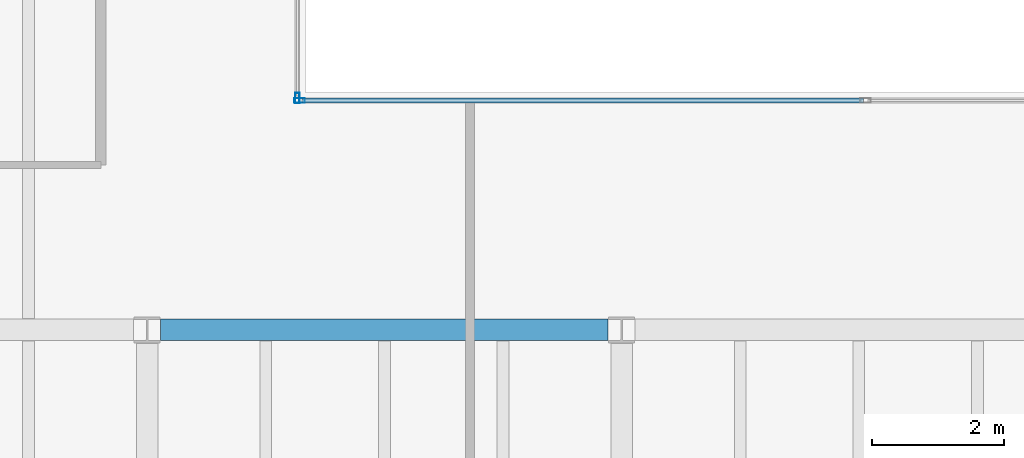
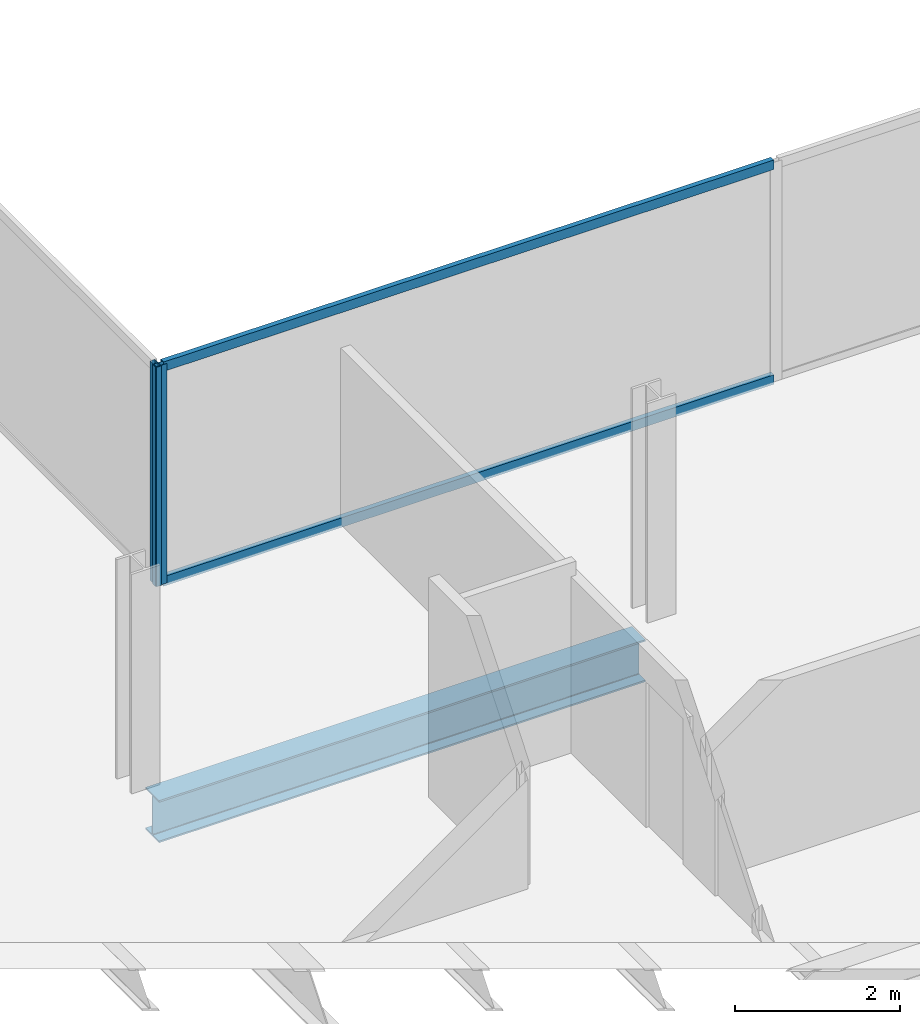
# One storey, part 8 of 23: 4 members, 1 beam, 2 elements without a shape of their own.
"""IFC4 building model written with IfcOpenShell, lengths in metres."""

from ifc_helpers import new_model, si_unit, direction, frame, origin, origin_2d, place, context, subcontext, project, spatial, hollow_rectangle, i_section, extrude, material, material_profile, profile_set, type_object, element, aggregate, save


model = new_model("IFC4")

# Units and contexts
model_context = context("Model", 3, precision=1e-05, world=origin(), true_north=direction((0.0, 1.0)))
body_context = subcontext(model_context, "Body", "Model", "MODEL_VIEW")
ifc_project = project(units=[si_unit("LENGTHUNIT", "METRE"), si_unit("AREAUNIT", "SQUARE_METRE"), si_unit("VOLUMEUNIT", "CUBIC_METRE"), si_unit("PLANEANGLEUNIT", "RADIAN"), si_unit("MASSUNIT", "GRAM", prefix="KILO")], contexts=[model_context])

# Site, building, storey
site_placement = place(None, origin())
site = spatial("IfcSite", under=ifc_project, at=site_placement, CompositionType="ELEMENT")
building_placement = place(site_placement, origin())
building = spatial("IfcBuilding", under=site, at=building_placement, Name="Cobrela Telecom Tower", CompositionType="ELEMENT")
storey_placement = place(building_placement, frame((0.0, 0.0, 180.25)))
storey = spatial("IfcBuildingStorey", under=building, at=storey_placement, Name="L45", CompositionType="ELEMENT", Elevation=180.25)

# Beam
ifc_material_1 = material(Name="Steel ASTM A992 Grade 50", Category="steel")
ifc_material_profile_1 = material_profile(ifc_material_1, i_section(OverallWidth=0.327880859375, OverallDepth=0.6220703125, WebThickness=0.015380859375, FlangeThickness=0.0244140625, FilletRadius=0.014892578125, at=origin_2d()), Name="W24X131")
ifc_profile_set_1 = profile_set([ifc_material_profile_1], Name="Steel ASTM A992 Grade 50")
beam_type = type_object("IfcBeamType", Name="BM-GIRD-06", PredefinedType="USERDEFINED", material=ifc_profile_set_1)
beam_placement = place(storey_placement, frame((21.804443359375, 21.60009765625, -0.571044921875), z_axis=(1.0, 0.0, 0.0), x_axis=(0.0, 1.0, 0.0)))
element("IfcBeam", 1, at=beam_placement, inside=storey, type_object=beam_type, Name="L45 Primary Girder X16", ObjectType="GIRDER", PredefinedType="USERDEFINED", context=body_context, shape_type="SweptSolid", body=[
    extrude(i_section(OverallWidth=0.327880859375, OverallDepth=0.6220703125, WebThickness=0.015380859375, FlangeThickness=0.0244140625, FilletRadius=0.014892578125, at=origin_2d()), origin(), (0.0, 0.0, 1.0), 6.791015625),
])

# Curtain wall, member
ifc_material_2 = material(Name="Anodized Bronze Aluminium 6063-T6", Category="aluminium")
curtain_wall_type = type_object("IfcCurtainWallType", Name="CW-SYS-OFF-LO", PredefinedType="USERDEFINED", material=ifc_material_2)
curtain_wall_1_placement = place(storey_placement, origin())
curtain_wall_1 = element("IfcCurtainWall", 2, at=curtain_wall_1_placement, inside=storey, type_object=curtain_wall_type, Name="L45 Unitised Bronze Curtain Wall 10", ObjectType="UNITISED CURTAIN WALL", PredefinedType="USERDEFINED")
ifc_material_profile_2 = material_profile(ifc_material_2, hollow_rectangle(XDim=0.070068359375, YDim=0.159912109375, WallThickness=0.00390625, at=origin_2d()), Name="ALU 70x160x4")
ifc_profile_set_2 = profile_set([ifc_material_profile_2], Name="Anodized Bronze Aluminium 6063-T6")
member_type_1 = type_object("IfcMemberType", Name="CW-SYS-OFF-LO-MUL", PredefinedType="MULLION", material=ifc_profile_set_2)
member_1_placement = place(storey_placement, frame((23.8798828125, 25.114990234375, 0.0), z_axis=(0.0, 0.0, 1.0), x_axis=(1.0, 0.0, 0.0)))
member_1 = element("IfcMember", 3, at=member_1_placement, type_object=member_type_1, Name="CW-OFF-LO mullion 3", PredefinedType="MULLION", context=body_context, shape_type="SweptSolid", body=[
    extrude(hollow_rectangle(XDim=0.070068359375, YDim=0.159912109375, WallThickness=0.00390625, at=origin_2d()), origin(), (0.0, 0.0, 1.0), 3.239990234375),
])
aggregate(curtain_wall_1, [member_1])

# Curtain wall, members
curtain_wall_2_placement = place(storey_placement, origin())
curtain_wall_2 = element("IfcCurtainWall", 4, at=curtain_wall_2_placement, inside=storey, type_object=curtain_wall_type, Name="L45 Unitised Bronze Curtain Wall 11", ObjectType="UNITISED CURTAIN WALL", PredefinedType="USERDEFINED")
member_2_placement = place(storey_placement, frame((23.9150390625, 25.080078125, 0.0), z_axis=(0.0, 0.0, 1.0), x_axis=(0.0, 1.0, 0.0)))
member_2 = element("IfcMember", 5, at=member_2_placement, type_object=member_type_1, Name="CW-OFF-LO mullion 1", PredefinedType="MULLION", context=body_context, shape_type="SweptSolid", body=[
    extrude(hollow_rectangle(XDim=0.070068359375, YDim=0.159912109375, WallThickness=0.00390625, at=origin_2d()), origin(), (0.0, 0.0, 1.0), 3.239990234375),
])
ifc_material_profile_3 = material_profile(ifc_material_2, hollow_rectangle(XDim=0.070068359375, YDim=0.139892578125, WallThickness=0.00390625, at=origin_2d()), Name="ALU 70x140x4")
ifc_profile_set_3 = profile_set([ifc_material_profile_3], Name="Anodized Bronze Aluminium 6063-T6")
member_type_2 = type_object("IfcMemberType", Name="CW-SYS-OFF-LO-TRN", PredefinedType="USERDEFINED", material=ifc_profile_set_3)
member_3_placement = place(storey_placement, frame((23.949951171875, 25.080078125, 0.034912109375), z_axis=(1.0, 0.0, 0.0), x_axis=(0.0, 1.0, 0.0)))
member_3 = element("IfcMember", 6, at=member_3_placement, type_object=member_type_2, Name="CW-OFF-LO transom 1.1", ObjectType="TRANSOM", PredefinedType="USERDEFINED", context=body_context, shape_type="SweptSolid", body=[
    extrude(hollow_rectangle(XDim=0.070068359375, YDim=0.139892578125, WallThickness=0.00390625, at=origin_2d()), origin(), (0.0, 0.0, 1.0), 8.52001953125),
])
member_4_placement = place(storey_placement, frame((23.949951171875, 25.080078125, 3.205078125), z_axis=(1.0, 0.0, 0.0), x_axis=(0.0, 1.0, 0.0)))
member_4 = element("IfcMember", 7, at=member_4_placement, type_object=member_type_2, Name="CW-OFF-LO transom 1.2", ObjectType="TRANSOM", PredefinedType="USERDEFINED", context=body_context, shape_type="SweptSolid", body=[
    extrude(hollow_rectangle(XDim=0.070068359375, YDim=0.139892578125, WallThickness=0.00390625, at=origin_2d()), origin(), (0.0, 0.0, 1.0), 8.52001953125),
])
aggregate(curtain_wall_2, [member_2, member_3, member_4])

save(model, "model.ifc")
